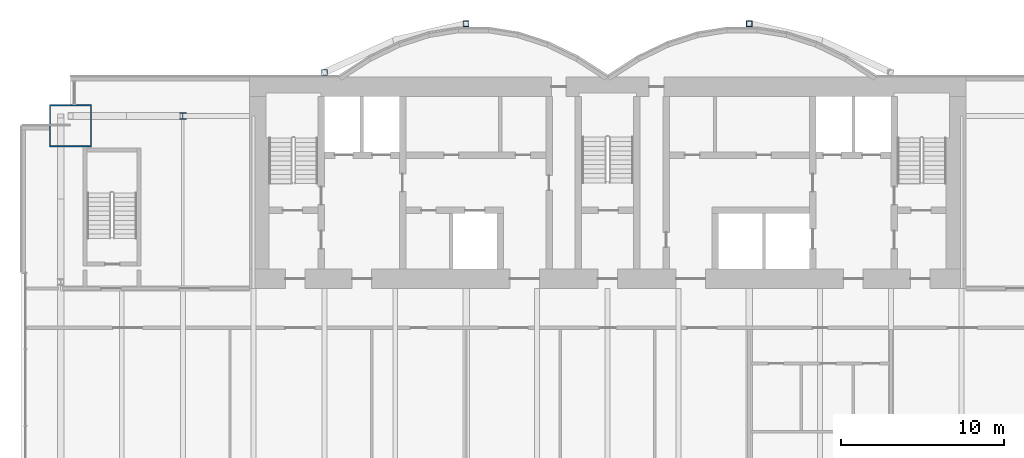
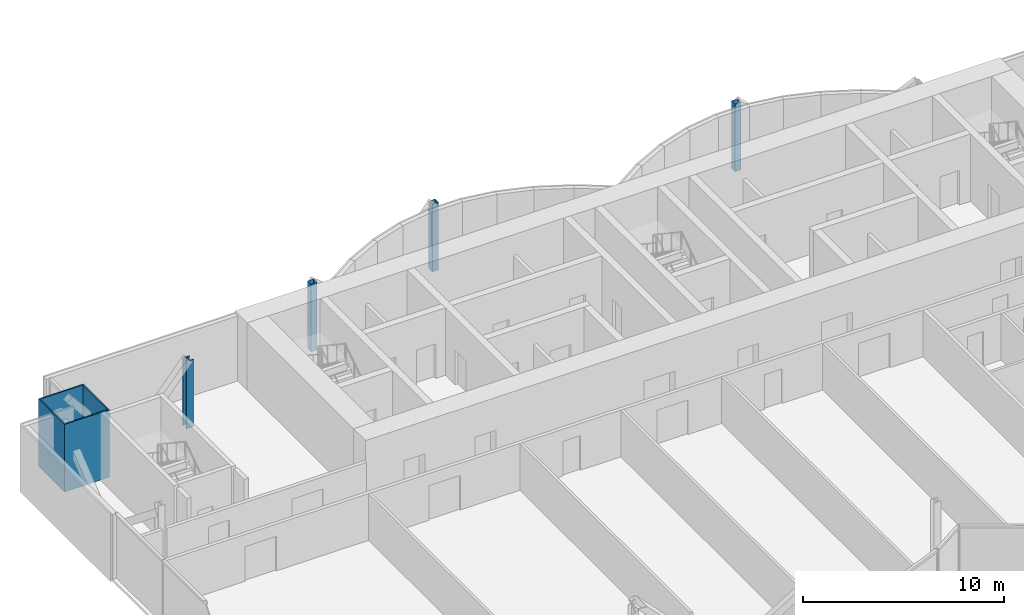
# One storey, part 3 of 21: 5 columns.
"""IFC4 building model written with IfcOpenShell, lengths in metres."""

import ifcopenshell
import ifcopenshell.guid

model = None  # the IFC model being written
_history = None  # IfcOwnerHistory: only IFC2X3 demands one
_inside = {}  # id of a spatial element -> (the spatial element, [elements in it])
_under = {}  # id of a project, library or spatial element -> (it, [spatial elements below it])
_declared = {}  # id of a project -> (the project, [libraries it declares])
_typed = {}  # id of a type object -> (the type object, [elements of that type])
_made_of = {}  # id of a material, layer set ... -> (it, [elements and type objects made of it])


def new_model(schema):
    """Start an empty IFC model of exactly this schema.

    Asked for "IFC4X3", IfcOpenShell would pick the latest addendum, in which some entities
    have other attributes; the version numbers below select the first issue.
    IFC2X3 requires an IfcOwnerHistory on every rooted entity: one is made here for all.
    """
    global model, _history
    if schema == "IFC4X3":
        model = ifcopenshell.file(schema_version=(4, 3, 0, 0))
    else:
        model = ifcopenshell.file(schema=schema)
    _inside.clear()
    _under.clear()
    _declared.clear()
    _typed.clear()
    _made_of.clear()
    _history = None
    if model.schema == "IFC2X3":
        org = make("IfcOrganization", Name="unknown")
        user = make(
            "IfcPersonAndOrganization",
            ThePerson=make("IfcPerson", FamilyName="unknown"),
            TheOrganization=org,
        )
        app = make(
            "IfcApplication",
            ApplicationDeveloper=org,
            Version="unknown",
            ApplicationFullName="unknown",
            ApplicationIdentifier="unknown",
        )
        _history = make(
            "IfcOwnerHistory",
            OwningUser=user,
            OwningApplication=app,
            ChangeAction="ADDED",
            CreationDate=0,
        )
    return model


def make(cls, **values):
    """One entity of the class cls with the attributes given. An attribute that is None is left unset."""
    return model.create_entity(
        cls, **{name: value for name, value in values.items() if value is not None}
    )


def rooted(cls, **values):
    """An entity with a GlobalId (a new one), such as an element, a storey or a relation."""
    return make(cls, GlobalId=ifcopenshell.guid.new(), OwnerHistory=_history, **values)


def si_unit(unit_type, name, prefix=None):
    """IfcSIUnit, for example si_unit("LENGTHUNIT", "METRE", prefix="MILLI")."""
    return make("IfcSIUnit", UnitType=unit_type, Prefix=prefix, Name=name)


def assignment(units):
    """IfcUnitAssignment: the units of a project."""
    return None if units is None else make("IfcUnitAssignment", Units=units)


def point(xyz):
    """IfcCartesianPoint."""
    return None if xyz is None else make("IfcCartesianPoint", Coordinates=xyz)


def direction(xyz):
    """IfcDirection."""
    return None if xyz is None else make("IfcDirection", DirectionRatios=xyz)


def frame(location, z_axis=None, x_axis=None):
    """IfcAxis2Placement3D, a coordinate frame: its origin and axes. An axis left out is left unset."""
    return make(
        "IfcAxis2Placement3D",
        Location=point(location),
        Axis=direction(z_axis),
        RefDirection=direction(x_axis),
    )


def frame_2d(location, x_axis=None):
    """IfcAxis2Placement2D, a coordinate frame in the plane: its origin and x axis."""
    return make(
        "IfcAxis2Placement2D", Location=point(location), RefDirection=direction(x_axis)
    )


def origin():
    """The frame at (0, 0, 0) with its axes left unset."""
    return frame((0.0, 0.0, 0.0))


def origin_2d():
    """The frame at (0, 0) in the plane with its x axis left unset."""
    return frame_2d((0.0, 0.0))


def place(relative_to, where):
    """IfcLocalPlacement: puts the frame where relative to a parent placement (None: the world)."""
    return make(
        "IfcLocalPlacement", PlacementRelTo=relative_to, RelativePlacement=where
    )


def context(
    kind, dimensions, precision=None, world=None, true_north=None, identifier=None
):
    """IfcGeometricRepresentationContext, for example the 3D "Model" context."""
    return make(
        "IfcGeometricRepresentationContext",
        ContextIdentifier=identifier,
        ContextType=kind,
        CoordinateSpaceDimension=dimensions,
        Precision=precision,
        WorldCoordinateSystem=world,
        TrueNorth=true_north,
    )


def subcontext(parent, identifier, kind, view, scale=None):
    """IfcGeometricRepresentationSubContext, for example "Body" below "Model"."""
    return make(
        "IfcGeometricRepresentationSubContext",
        ContextIdentifier=identifier,
        ContextType=kind,
        ParentContext=parent,
        TargetScale=scale,
        TargetView=view,
    )


def project(units=None, contexts=None):
    """IfcProject with its units and contexts."""
    return rooted(
        "IfcProject",
        Name="project",
        RepresentationContexts=contexts,
        UnitsInContext=assignment(units),
    )


def spatial(cls, under=None, at=None, **own):
    """A site, building, storey or space (cls), placed at a placement, below another one or the project."""
    s = rooted(cls, ObjectPlacement=at, **own)
    if under is not None:
        _under.setdefault(under.id(), (under, []))[1].append(s)
    return s


def profile(cls, at=None, kind="AREA", **sizes):
    """A parametric profile (cls). Its sizes go by their IFC names, for example OverallWidth=200.0."""
    return make(cls, ProfileType=kind, Position=at, **sizes)


def hollow_rectangle(**sizes):
    """IfcRectangleHollowProfileDef."""
    return profile("IfcRectangleHollowProfileDef", **sizes)


def i_section(**sizes):
    """IfcIShapeProfileDef."""
    return profile("IfcIShapeProfileDef", **sizes)


def extrude(swept, where, along, depth):
    """IfcExtrudedAreaSolid: the profile swept, set in the frame where, extruded along a direction by depth."""
    return make(
        "IfcExtrudedAreaSolid",
        SweptArea=swept,
        Position=where,
        ExtrudedDirection=direction(along),
        Depth=depth,
    )


def shape(context_of_items, identifier, shape_type, items):
    """IfcShapeRepresentation: the items that make up one representation, for example the "Body"."""
    return make(
        "IfcShapeRepresentation",
        ContextOfItems=context_of_items,
        RepresentationIdentifier=identifier,
        RepresentationType=shape_type,
        Items=items,
    )


def material(Name=None, Category=None):
    """IfcMaterial."""
    return make("IfcMaterial", Name=Name, Category=Category)


def material_profile(
    of_material, cross_section, Name=None, Category=None, Priority=None
):
    """IfcMaterialProfile: a cross section and its material."""
    return make(
        "IfcMaterialProfile",
        Name=Name,
        Material=of_material,
        Profile=cross_section,
        Priority=Priority,
        Category=Category,
    )


def profile_set(profiles, Name=None, composite=None):
    """IfcMaterialProfileSet."""
    return make(
        "IfcMaterialProfileSet",
        Name=Name,
        MaterialProfiles=profiles,
        CompositeProfile=composite,
    )


def made_of(thing, what):
    """Note that an element or type object is made of a material, layer set ...; save() writes the relation."""
    if what is not None:
        _made_of.setdefault(what.id(), (what, []))[1].append(thing)
    return thing


def type_object(cls, material=None, **own):
    """A type object (cls), such as IfcWallType, which elements share."""
    return made_of(rooted(cls, **own), material)


def element(
    cls,
    number,
    at=None,
    inside=None,
    cuts=None,
    type_object=None,
    material=None,
    context=None,
    identifier="Body",
    shape_type=None,
    held_by="IfcProductDefinitionShape",
    body=None,
    shapes=None,
    **own,
):
    """One element of the class cls, such as IfcWall. Its Tag is "e" and its number.

    at: its placement. inside: the storey or other place that contains it. cuts: it is an
    opening in that element (IfcRelVoidsElement). A single representation is given by context,
    identifier, shape_type and body (its items); several are given by shapes. held_by: the class
    of the entity that holds the representations. save() writes the other relations.
    """
    e = rooted(cls, Tag="e%d" % number, ObjectPlacement=at, **own)
    if body is not None:
        shapes = [shape(context, identifier, shape_type, body)]
    if shapes is not None:
        e.Representation = make(held_by, Representations=shapes)
    if inside is not None:
        _inside.setdefault(inside.id(), (inside, []))[1].append(e)
    if cuts is not None:
        rooted(
            "IfcRelVoidsElement", RelatingBuildingElement=cuts, RelatedOpeningElement=e
        )
    if type_object is not None:
        _typed.setdefault(type_object.id(), (type_object, []))[1].append(e)
    return made_of(e, material)


def aggregate(whole, parts):
    """IfcRelAggregates: a whole, such as a stair, and the parts it consists of."""
    return rooted("IfcRelAggregates", RelatingObject=whole, RelatedObjects=parts)


def save(model, path):
    """Write the relations noted so far, then the file.

    IfcRelAggregates (storeys below a building ...), IfcRelContainedInSpatialStructure (elements
    in a storey), IfcRelDefinesByType, IfcRelAssociatesMaterial and IfcRelDeclares: one each for
    every whole, place, type object, material and project.
    """
    for whole, parts in _under.values():
        aggregate(whole, parts)
    for where, things in _inside.values():
        rooted(
            "IfcRelContainedInSpatialStructure",
            RelatedElements=things,
            RelatingStructure=where,
        )
    for kind, things in _typed.values():
        rooted("IfcRelDefinesByType", RelatedObjects=things, RelatingType=kind)
    for what, things in _made_of.values():
        rooted("IfcRelAssociatesMaterial", RelatedObjects=things, RelatingMaterial=what)
    for by, libraries in _declared.values():
        rooted("IfcRelDeclares", RelatingContext=by, RelatedDefinitions=libraries)
    model.write(path)


model = new_model("IFC4")

# Units and contexts
model_context = context("Model", 3, precision=1e-05, world=origin(), true_north=direction((0.0, 1.0)))
body_context = subcontext(model_context, "Body", "Model", "MODEL_VIEW")
ifc_project = project(units=[si_unit("LENGTHUNIT", "METRE"), si_unit("AREAUNIT", "SQUARE_METRE"), si_unit("VOLUMEUNIT", "CUBIC_METRE"), si_unit("PLANEANGLEUNIT", "RADIAN"), si_unit("MASSUNIT", "GRAM", prefix="KILO")], contexts=[model_context])

# Site, building, storey
site_placement = place(None, origin())
site = spatial("IfcSite", under=ifc_project, at=site_placement, CompositionType="ELEMENT")
building_placement = place(site_placement, origin())
building = spatial("IfcBuilding", under=site, at=building_placement, Name="Bicima Exchange Tower", CompositionType="ELEMENT")
storey_placement = place(building_placement, frame((0.0, 0.0, 173.199951171875)))
storey = spatial("IfcBuildingStorey", under=building, at=storey_placement, Name="L38", CompositionType="ELEMENT", Elevation=173.199951171875)

# Columns
ifc_material_1 = material(Name="Steel ASTM A572 Gr 50", Category="steel")
ifc_material_profile_1 = material_profile(ifc_material_1, hollow_rectangle(XDim=2.60009765625, YDim=2.60009765625, WallThickness=0.080078125, at=origin_2d()))
ifc_profile_set_1 = profile_set([ifc_material_profile_1], Name="Steel ASTM A572 Gr 50")
column_type_1 = type_object("IfcColumnType", Name="Mega column BOX 2600x2600x80", PredefinedType="COLUMN", material=ifc_profile_set_1)
column_1_placement = place(storey_placement, frame((-33.0, -3.0, 0.0), z_axis=(0.0, 0.0, 1.0), x_axis=(1.0, 0.0, 0.0)))
element("IfcColumn", 1, at=column_1_placement, inside=storey, type_object=column_type_1, Name="Mega column mega-33.0r", PredefinedType="COLUMN", context=body_context, shape_type="SweptSolid", body=[
    extrude(hollow_rectangle(XDim=2.60009765625, YDim=2.60009765625, WallThickness=0.080078125, at=origin_2d()), origin(), (0.0, 0.0, 1.0), 4.10009765625),
])
ifc_material_2 = material(Name="Steel ASTM A992 Gr 50", Category="steel")
ifc_material_profile_2 = material_profile(ifc_material_2, i_section(OverallWidth=0.396240234375, OverallDepth=0.381103515625, WebThickness=0.01904296875, FlangeThickness=0.0302734375, at=origin_2d()))
ifc_profile_set_2 = profile_set([ifc_material_profile_2], Name="Steel ASTM A992 Gr 50")
column_type_2 = type_object("IfcColumnType", Name="Perimeter column W14x159", PredefinedType="COLUMN", material=ifc_profile_set_2)
column_2_placement = place(storey_placement, frame((-26.10009765625, -2.39990234375, 0.0), z_axis=(0.0, 0.0, 1.0), x_axis=(1.0, 0.0, 0.0)))
element("IfcColumn", 2, at=column_2_placement, inside=storey, type_object=column_type_2, Name="Perimeter column grav-26.1r", PredefinedType="COLUMN", context=body_context, shape_type="SweptSolid", body=[
    extrude(i_section(OverallWidth=0.396240234375, OverallDepth=0.381103515625, WebThickness=0.01904296875, FlangeThickness=0.0302734375, at=origin_2d()), origin(), (0.0, 0.0, 1.0), 4.10009765625),
])
ifc_material_profile_3 = material_profile(ifc_material_1, hollow_rectangle(XDim=0.355712890625, YDim=0.355712890625, WallThickness=0.01171875, at=origin_2d()))
ifc_profile_set_3 = profile_set([ifc_material_profile_3], Name="Steel ASTM A572 Gr 50")
column_type_3 = type_object("IfcColumnType", Name="Rear pilaster HSS14x14x1/2", PredefinedType="COLUMN", material=ifc_profile_set_3)
for number, where, z_axis, x_axis, name in (
    (3, (-8.699951171875, 3.26904296875, 0.0), (0.0, 0.0, 1.0), (1.0, 0.0, 0.0), "Rear pilaster rexo-8.7r"),
    (4, (-17.39990234375, 0.278076171875, 0.0), (0.0, 0.0, 1.0), (1.0, 0.0, 0.0), "Rear pilaster rexo-17.4r"),
    (5, (8.699951171875, 3.26904296875, 0.0), (0.0, 0.0, 1.0), (1.0, 0.0, 0.0), "Rear pilaster rexo+8.7r"),
):
    element("IfcColumn", number, at=place(storey_placement, frame(where, z_axis=z_axis, x_axis=x_axis)), inside=storey, type_object=column_type_3, Name=name, PredefinedType="COLUMN", context=body_context, shape_type="SweptSolid", body=[
        extrude(hollow_rectangle(XDim=0.355712890625, YDim=0.355712890625, WallThickness=0.01171875, at=origin_2d()), origin(), (0.0, 0.0, 1.0), 4.10009765625),
    ])

save(model, "model.ifc")
